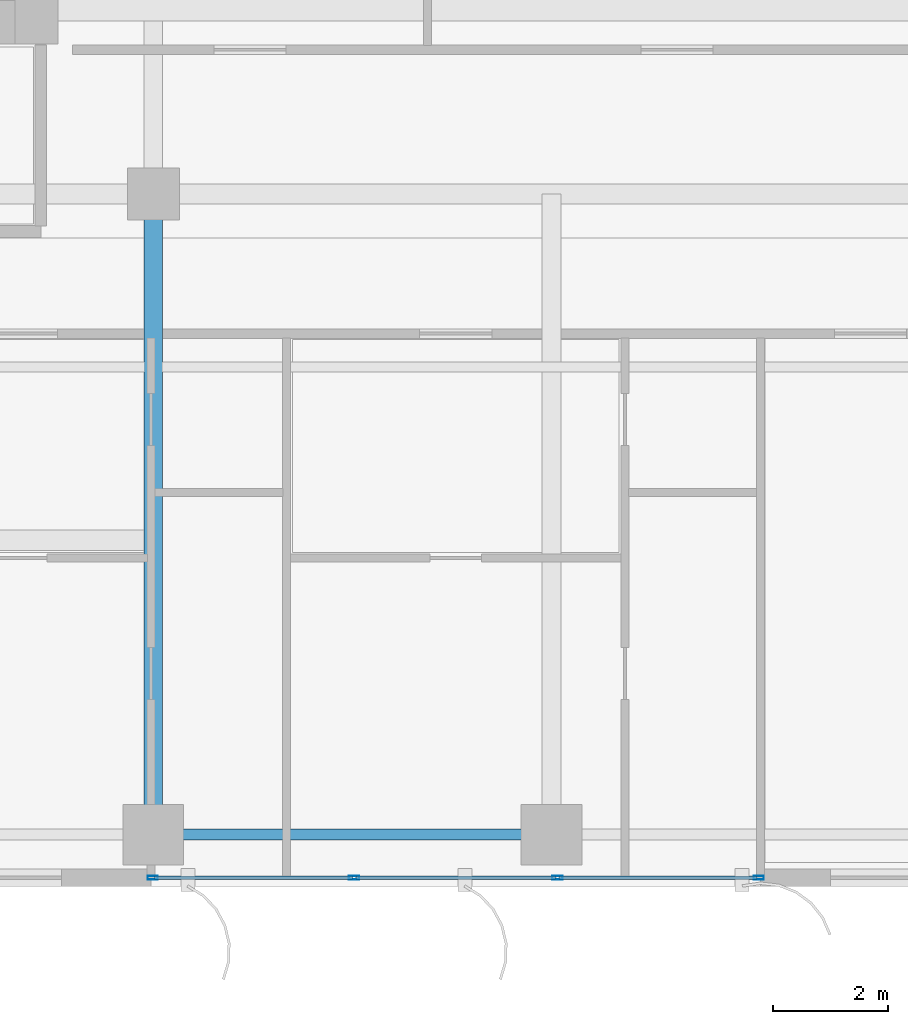
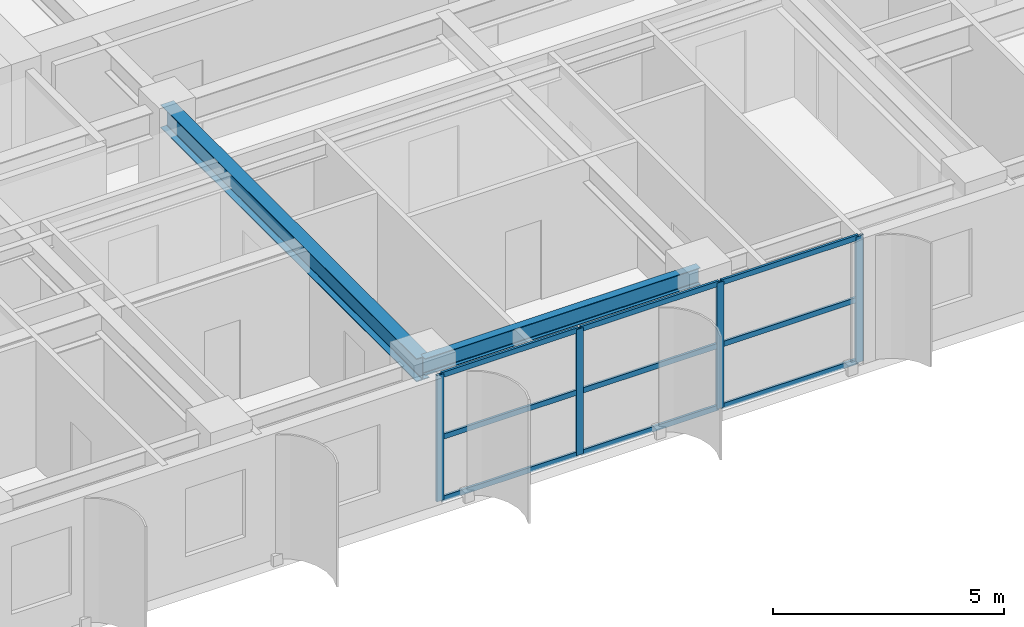
# One storey, part 2 of 22: 13 members, 2 beams, 1 element without a shape of its own.
"""IFC4 building model written with IfcOpenShell, lengths in metres."""

import ifcopenshell
import ifcopenshell.guid

model = None  # the IFC model being written
_history = None  # IfcOwnerHistory: only IFC2X3 demands one
_inside = {}  # id of a spatial element -> (the spatial element, [elements in it])
_under = {}  # id of a project, library or spatial element -> (it, [spatial elements below it])
_declared = {}  # id of a project -> (the project, [libraries it declares])
_typed = {}  # id of a type object -> (the type object, [elements of that type])
_made_of = {}  # id of a material, layer set ... -> (it, [elements and type objects made of it])


def new_model(schema):
    """Start an empty IFC model of exactly this schema.

    Asked for "IFC4X3", IfcOpenShell would pick the latest addendum, in which some entities
    have other attributes; the version numbers below select the first issue.
    IFC2X3 requires an IfcOwnerHistory on every rooted entity: one is made here for all.
    """
    global model, _history
    if schema == "IFC4X3":
        model = ifcopenshell.file(schema_version=(4, 3, 0, 0))
    else:
        model = ifcopenshell.file(schema=schema)
    _inside.clear()
    _under.clear()
    _declared.clear()
    _typed.clear()
    _made_of.clear()
    _history = None
    if model.schema == "IFC2X3":
        org = make("IfcOrganization", Name="unknown")
        user = make(
            "IfcPersonAndOrganization",
            ThePerson=make("IfcPerson", FamilyName="unknown"),
            TheOrganization=org,
        )
        app = make(
            "IfcApplication",
            ApplicationDeveloper=org,
            Version="unknown",
            ApplicationFullName="unknown",
            ApplicationIdentifier="unknown",
        )
        _history = make(
            "IfcOwnerHistory",
            OwningUser=user,
            OwningApplication=app,
            ChangeAction="ADDED",
            CreationDate=0,
        )
    return model


def make(cls, **values):
    """One entity of the class cls with the attributes given. An attribute that is None is left unset."""
    return model.create_entity(
        cls, **{name: value for name, value in values.items() if value is not None}
    )


def rooted(cls, **values):
    """An entity with a GlobalId (a new one), such as an element, a storey or a relation."""
    return make(cls, GlobalId=ifcopenshell.guid.new(), OwnerHistory=_history, **values)


def si_unit(unit_type, name, prefix=None):
    """IfcSIUnit, for example si_unit("LENGTHUNIT", "METRE", prefix="MILLI")."""
    return make("IfcSIUnit", UnitType=unit_type, Prefix=prefix, Name=name)


def assignment(units):
    """IfcUnitAssignment: the units of a project."""
    return None if units is None else make("IfcUnitAssignment", Units=units)


def point(xyz):
    """IfcCartesianPoint."""
    return None if xyz is None else make("IfcCartesianPoint", Coordinates=xyz)


def direction(xyz):
    """IfcDirection."""
    return None if xyz is None else make("IfcDirection", DirectionRatios=xyz)


def frame(location, z_axis=None, x_axis=None):
    """IfcAxis2Placement3D, a coordinate frame: its origin and axes. An axis left out is left unset."""
    return make(
        "IfcAxis2Placement3D",
        Location=point(location),
        Axis=direction(z_axis),
        RefDirection=direction(x_axis),
    )


def frame_2d(location, x_axis=None):
    """IfcAxis2Placement2D, a coordinate frame in the plane: its origin and x axis."""
    return make(
        "IfcAxis2Placement2D", Location=point(location), RefDirection=direction(x_axis)
    )


def origin():
    """The frame at (0, 0, 0) with its axes left unset."""
    return frame((0.0, 0.0, 0.0))


def origin_2d():
    """The frame at (0, 0) in the plane with its x axis left unset."""
    return frame_2d((0.0, 0.0))


def place(relative_to, where):
    """IfcLocalPlacement: puts the frame where relative to a parent placement (None: the world)."""
    return make(
        "IfcLocalPlacement", PlacementRelTo=relative_to, RelativePlacement=where
    )


def context(
    kind, dimensions, precision=None, world=None, true_north=None, identifier=None
):
    """IfcGeometricRepresentationContext, for example the 3D "Model" context."""
    return make(
        "IfcGeometricRepresentationContext",
        ContextIdentifier=identifier,
        ContextType=kind,
        CoordinateSpaceDimension=dimensions,
        Precision=precision,
        WorldCoordinateSystem=world,
        TrueNorth=true_north,
    )


def subcontext(parent, identifier, kind, view, scale=None):
    """IfcGeometricRepresentationSubContext, for example "Body" below "Model"."""
    return make(
        "IfcGeometricRepresentationSubContext",
        ContextIdentifier=identifier,
        ContextType=kind,
        ParentContext=parent,
        TargetScale=scale,
        TargetView=view,
    )


def project(units=None, contexts=None):
    """IfcProject with its units and contexts."""
    return rooted(
        "IfcProject",
        Name="project",
        RepresentationContexts=contexts,
        UnitsInContext=assignment(units),
    )


def spatial(cls, under=None, at=None, **own):
    """A site, building, storey or space (cls), placed at a placement, below another one or the project."""
    s = rooted(cls, ObjectPlacement=at, **own)
    if under is not None:
        _under.setdefault(under.id(), (under, []))[1].append(s)
    return s


def profile(cls, at=None, kind="AREA", **sizes):
    """A parametric profile (cls). Its sizes go by their IFC names, for example OverallWidth=200.0."""
    return make(cls, ProfileType=kind, Position=at, **sizes)


def hollow_rectangle(**sizes):
    """IfcRectangleHollowProfileDef."""
    return profile("IfcRectangleHollowProfileDef", **sizes)


def i_section(**sizes):
    """IfcIShapeProfileDef."""
    return profile("IfcIShapeProfileDef", **sizes)


def extrude(swept, where, along, depth):
    """IfcExtrudedAreaSolid: the profile swept, set in the frame where, extruded along a direction by depth."""
    return make(
        "IfcExtrudedAreaSolid",
        SweptArea=swept,
        Position=where,
        ExtrudedDirection=direction(along),
        Depth=depth,
    )


def shape(context_of_items, identifier, shape_type, items):
    """IfcShapeRepresentation: the items that make up one representation, for example the "Body"."""
    return make(
        "IfcShapeRepresentation",
        ContextOfItems=context_of_items,
        RepresentationIdentifier=identifier,
        RepresentationType=shape_type,
        Items=items,
    )


def source(mapping_origin, context_of_items, identifier, shape_type, items):
    """IfcRepresentationMap: a shape defined once, which mapped items show again and again."""
    return make(
        "IfcRepresentationMap",
        MappingOrigin=mapping_origin,
        MappedRepresentation=shape(context_of_items, identifier, shape_type, items),
    )


def transform(
    local_origin,
    x_axis=None,
    y_axis=None,
    z_axis=None,
    scale=None,
    scale2=None,
    scale3=None,
    uniform=True,
):
    """IfcCartesianTransformationOperator3D, or its non-uniform kind. x_axis, y_axis, z_axis: its Axis1, 2, 3."""
    if uniform:
        return make(
            "IfcCartesianTransformationOperator3D",
            Axis1=direction(x_axis),
            Axis2=direction(y_axis),
            LocalOrigin=point(local_origin),
            Scale=scale,
            Axis3=direction(z_axis),
        )
    return make(
        "IfcCartesianTransformationOperator3DnonUniform",
        Axis1=direction(x_axis),
        Axis2=direction(y_axis),
        LocalOrigin=point(local_origin),
        Scale=scale,
        Axis3=direction(z_axis),
        Scale2=scale2,
        Scale3=scale3,
    )


def mapped(mapping_source, mapping_target):
    """IfcMappedItem: shows the shape of a source again, moved by a transform."""
    return make(
        "IfcMappedItem", MappingSource=mapping_source, MappingTarget=mapping_target
    )


def material(Name=None, Category=None):
    """IfcMaterial."""
    return make("IfcMaterial", Name=Name, Category=Category)


def layer(
    of_material, thickness, ventilated=None, Name=None, Category=None, Priority=None
):
    """IfcMaterialLayer: one layer of a wall or slab, of a material (None: an air gap)."""
    return make(
        "IfcMaterialLayer",
        Material=of_material,
        LayerThickness=thickness,
        IsVentilated=ventilated,
        Name=Name,
        Category=Category,
        Priority=Priority,
    )


def layer_set(layers, Name=None):
    """IfcMaterialLayerSet."""
    return make("IfcMaterialLayerSet", MaterialLayers=layers, LayerSetName=Name)


def material_profile(
    of_material, cross_section, Name=None, Category=None, Priority=None
):
    """IfcMaterialProfile: a cross section and its material."""
    return make(
        "IfcMaterialProfile",
        Name=Name,
        Material=of_material,
        Profile=cross_section,
        Priority=Priority,
        Category=Category,
    )


def profile_set(profiles, Name=None, composite=None):
    """IfcMaterialProfileSet."""
    return make(
        "IfcMaterialProfileSet",
        Name=Name,
        MaterialProfiles=profiles,
        CompositeProfile=composite,
    )


def made_of(thing, what):
    """Note that an element or type object is made of a material, layer set ...; save() writes the relation."""
    if what is not None:
        _made_of.setdefault(what.id(), (what, []))[1].append(thing)
    return thing


def type_object(cls, material=None, **own):
    """A type object (cls), such as IfcWallType, which elements share."""
    return made_of(rooted(cls, **own), material)


def element(
    cls,
    number,
    at=None,
    inside=None,
    cuts=None,
    type_object=None,
    material=None,
    context=None,
    identifier="Body",
    shape_type=None,
    held_by="IfcProductDefinitionShape",
    body=None,
    shapes=None,
    **own,
):
    """One element of the class cls, such as IfcWall. Its Tag is "e" and its number.

    at: its placement. inside: the storey or other place that contains it. cuts: it is an
    opening in that element (IfcRelVoidsElement). A single representation is given by context,
    identifier, shape_type and body (its items); several are given by shapes. held_by: the class
    of the entity that holds the representations. save() writes the other relations.
    """
    e = rooted(cls, Tag="e%d" % number, ObjectPlacement=at, **own)
    if body is not None:
        shapes = [shape(context, identifier, shape_type, body)]
    if shapes is not None:
        e.Representation = make(held_by, Representations=shapes)
    if inside is not None:
        _inside.setdefault(inside.id(), (inside, []))[1].append(e)
    if cuts is not None:
        rooted(
            "IfcRelVoidsElement", RelatingBuildingElement=cuts, RelatedOpeningElement=e
        )
    if type_object is not None:
        _typed.setdefault(type_object.id(), (type_object, []))[1].append(e)
    return made_of(e, material)


def aggregate(whole, parts):
    """IfcRelAggregates: a whole, such as a stair, and the parts it consists of."""
    return rooted("IfcRelAggregates", RelatingObject=whole, RelatedObjects=parts)


def save(model, path):
    """Write the relations noted so far, then the file.

    IfcRelAggregates (storeys below a building ...), IfcRelContainedInSpatialStructure (elements
    in a storey), IfcRelDefinesByType, IfcRelAssociatesMaterial and IfcRelDeclares: one each for
    every whole, place, type object, material and project.
    """
    for whole, parts in _under.values():
        aggregate(whole, parts)
    for where, things in _inside.values():
        rooted(
            "IfcRelContainedInSpatialStructure",
            RelatedElements=things,
            RelatingStructure=where,
        )
    for kind, things in _typed.values():
        rooted("IfcRelDefinesByType", RelatedObjects=things, RelatingType=kind)
    for what, things in _made_of.values():
        rooted("IfcRelAssociatesMaterial", RelatedObjects=things, RelatingMaterial=what)
    for by, libraries in _declared.values():
        rooted("IfcRelDeclares", RelatingContext=by, RelatedDefinitions=libraries)
    model.write(path)


model = new_model("IFC4")

# Units and contexts
model_context = context("Model", 3, precision=1e-05, world=origin(), true_north=direction((0.0, 1.0)))
body_context = subcontext(model_context, "Body", "Model", "MODEL_VIEW")
ifc_project = project(units=[si_unit("LENGTHUNIT", "METRE"), si_unit("AREAUNIT", "SQUARE_METRE"), si_unit("VOLUMEUNIT", "CUBIC_METRE"), si_unit("PLANEANGLEUNIT", "RADIAN"), si_unit("MASSUNIT", "GRAM", prefix="KILO")], contexts=[model_context])

# Site, building, storey
site_placement = place(None, origin())
site = spatial("IfcSite", under=ifc_project, at=site_placement, CompositionType="ELEMENT")
building_placement = place(site_placement, origin())
building = spatial("IfcBuilding", under=site, at=building_placement, Name="Khoralis Quay Care Tower", CompositionType="ELEMENT")
storey_placement = place(building_placement, frame((0.0, 0.0, 94.5)))
storey = spatial("IfcBuildingStorey", under=building, at=storey_placement, Name="L24", CompositionType="ELEMENT", Elevation=94.5)

# Beams
ifc_material_1 = material(Name="Steel S355", Category="steel")
ifc_material_profile_1 = material_profile(ifc_material_1, i_section(OverallWidth=0.18994140625, OverallDepth=0.449951171875, WebThickness=0.009521484375, FlangeThickness=0.0146484375, FilletRadius=0.02099609375, at=origin_2d()), Name="Steel S355")
ifc_profile_set_1 = profile_set([ifc_material_profile_1], Name="Steel S355")
beam_type_1 = type_object("IfcBeamType", Name="BM-IPE450", PredefinedType="SPANDREL", material=ifc_profile_set_1)
shared_shape_1 = source(origin(), body_context, "Body", "SweptSolid", [
    extrude(i_section(OverallWidth=0.18994140625, OverallDepth=0.449951171875, WebThickness=0.009521484375, FlangeThickness=0.0146484375, FilletRadius=0.02099609375, at=origin_2d()), origin(), (0.0, 0.0, 1.0), 6.89990234375),
])
beam_1_placement = place(storey_placement, frame((17.10009765625, 0.89990234375, 3.114990234375), z_axis=(1.0, 0.0, 0.0), x_axis=(0.0, 1.0, 0.0)))
element("IfcBeam", 1, at=beam_1_placement, inside=storey, type_object=beam_type_1, Name="BM-TSP-L24-03", PredefinedType="SPANDREL", context=body_context, shape_type="MappedRepresentation", body=[
    mapped(shared_shape_1, transform((0.0, 0.0, 0.0), scale=1.0)),
])
ifc_material_profile_2 = material_profile(ifc_material_1, i_section(OverallWidth=0.324951171875, OverallDepth=0.615966796875, WebThickness=0.013916015625, FlangeThickness=0.021484375, FilletRadius=0.01806640625, at=origin_2d()), Name="Steel S355")
ifc_profile_set_2 = profile_set([ifc_material_profile_2], Name="Steel S355")
beam_type_2 = type_object("IfcBeamType", Name="BM-W610X174", PredefinedType="BEAM", material=ifc_profile_set_2)
shared_shape_2 = source(origin(), body_context, "Body", "SweptSolid", [
    extrude(i_section(OverallWidth=0.324951171875, OverallDepth=0.615966796875, WebThickness=0.013916015625, FlangeThickness=0.021484375, FilletRadius=0.01806640625, at=origin_2d()), origin(), (0.0, 0.0, 1.0), 11.10009765625),
])
beam_2_placement = place(storey_placement, frame((17.10009765625, 0.89990234375, 3.031982421875), z_axis=(0.0, 1.0, 0.0), x_axis=(-1.0, 0.0, 0.0)))
element("IfcBeam", 2, at=beam_2_placement, inside=storey, type_object=beam_type_2, Name="BM-TGYS-L24-171", PredefinedType="BEAM", context=body_context, shape_type="MappedRepresentation", body=[
    mapped(shared_shape_2, transform((0.0, 0.0, 0.0), scale=1.0)),
])

# Curtain wall, members
ifc_material_2 = material(Name="Pale anodised aluminium", Category="aluminium")
ifc_layer = layer(ifc_material_2, 0.169921875)
ifc_layer_set = layer_set([ifc_layer], Name="Pale anodised aluminium")
curtain_wall_type = type_object("IfcCurtainWallType", Name="CW-SYS-Z2", PredefinedType="NOTDEFINED", material=ifc_layer_set)
curtain_wall_placement = place(storey_placement, origin())
curtain_wall = element("IfcCurtainWall", 3, at=curtain_wall_placement, inside=storey, type_object=curtain_wall_type, Name="L24 Unitised Curtain Wall CW-L24-P1-E0", PredefinedType="NOTDEFINED")
ifc_material_profile_3 = material_profile(ifc_material_2, hollow_rectangle(XDim=0.06494140625, YDim=0.179931640625, WallThickness=0.00390625, at=origin_2d()), Name="Pale anodised aluminium")
ifc_profile_set_3 = profile_set([ifc_material_profile_3], Name="Pale anodised aluminium")
member_type_1 = type_object("IfcMemberType", Name="CW-MUL-180", PredefinedType="MULLION", material=ifc_profile_set_3)
shared_shape_3 = source(origin(), body_context, "Body", "SweptSolid", [
    extrude(hollow_rectangle(XDim=0.06494140625, YDim=0.179931640625, WallThickness=0.00390625, at=origin_2d()), origin(), (0.0, 0.0, 1.0), 3.340087890625),
])
member_1_placement = place(storey_placement, frame((17.090087890625, 0.14990234375, 0.0), z_axis=(0.0, 0.0, 1.0), x_axis=(0.0, 1.0, 0.0)))
member_1 = element("IfcMember", 4, at=member_1_placement, type_object=member_type_1, Name="CW2 mullion 1", PredefinedType="MULLION", context=body_context, shape_type="MappedRepresentation", body=[
    mapped(shared_shape_3, transform((0.0, 0.0, 0.0), scale=1.0)),
])
member_2_placement = place(storey_placement, frame((20.580078125, 0.14990234375, 0.0), z_axis=(0.0, 0.0, 1.0), x_axis=(0.0, 1.0, 0.0)))
member_2 = element("IfcMember", 5, at=member_2_placement, type_object=member_type_1, Name="CW2 mullion 2", PredefinedType="MULLION", context=body_context, shape_type="MappedRepresentation", body=[
    mapped(shared_shape_3, transform((0.0, 0.0, 0.0), scale=1.0)),
])
member_3_placement = place(storey_placement, frame((24.10009765625, 0.14990234375, 0.0), z_axis=(0.0, 0.0, 1.0), x_axis=(0.0, 1.0, 0.0)))
member_3 = element("IfcMember", 6, at=member_3_placement, type_object=member_type_1, Name="CW2 mullion 3", PredefinedType="MULLION", context=body_context, shape_type="MappedRepresentation", body=[
    mapped(shared_shape_3, transform((0.0, 0.0, 0.0), scale=1.0)),
])
member_4_placement = place(storey_placement, frame((27.590087890625, 0.14990234375, 0.0), z_axis=(0.0, 0.0, 1.0), x_axis=(0.0, 1.0, 0.0)))
member_4 = element("IfcMember", 7, at=member_4_placement, type_object=member_type_1, Name="CW2 mullion 4", PredefinedType="MULLION", context=body_context, shape_type="MappedRepresentation", body=[
    mapped(shared_shape_3, transform((0.0, 0.0, 0.0), scale=1.0)),
])
ifc_material_profile_4 = material_profile(ifc_material_2, hollow_rectangle(XDim=0.06005859375, YDim=0.139892578125, WallThickness=0.00390625, at=origin_2d()), Name="Pale anodised aluminium")
ifc_profile_set_4 = profile_set([ifc_material_profile_4], Name="Pale anodised aluminium")
member_type_2 = type_object("IfcMemberType", Name="CW-TRN-140", PredefinedType="USERDEFINED", material=ifc_profile_set_4)
shared_shape_4 = source(origin(), body_context, "Body", "SweptSolid", [
    extrude(hollow_rectangle(XDim=0.06005859375, YDim=0.139892578125, WallThickness=0.00390625, at=origin_2d()), origin(), (0.0, 0.0, 1.0), 3.429931640625),
])
member_5_placement = place(storey_placement, frame((17.1201171875, 0.14990234375, 0.030029296875), z_axis=(1.0, 0.0, 0.0), x_axis=(0.0, 1.0, 0.0)))
member_5 = element("IfcMember", 8, at=member_5_placement, type_object=member_type_2, Name="CW2 transom 1.1", ObjectType="TRANSOM", PredefinedType="USERDEFINED", context=body_context, shape_type="MappedRepresentation", body=[
    mapped(shared_shape_4, transform((0.0, 0.0, 0.0), scale=1.0)),
])
member_6_placement = place(storey_placement, frame((17.1201171875, 0.14990234375, 1.669921875), z_axis=(1.0, 0.0, 0.0), x_axis=(0.0, 1.0, 0.0)))
member_6 = element("IfcMember", 9, at=member_6_placement, type_object=member_type_2, Name="CW2 transom 1.2", ObjectType="TRANSOM", PredefinedType="USERDEFINED", context=body_context, shape_type="MappedRepresentation", body=[
    mapped(shared_shape_4, transform((0.0, 0.0, 0.0), scale=1.0)),
])
member_7_placement = place(storey_placement, frame((17.1201171875, 0.14990234375, 3.31005859375), z_axis=(1.0, 0.0, 0.0), x_axis=(0.0, 1.0, 0.0)))
member_7 = element("IfcMember", 10, at=member_7_placement, type_object=member_type_2, Name="CW2 transom 1.3", ObjectType="TRANSOM", PredefinedType="USERDEFINED", context=body_context, shape_type="MappedRepresentation", body=[
    mapped(shared_shape_4, transform((0.0, 0.0, 0.0), scale=1.0)),
])
shared_shape_5 = source(origin(), body_context, "Body", "SweptSolid", [
    extrude(hollow_rectangle(XDim=0.06005859375, YDim=0.139892578125, WallThickness=0.00390625, at=origin_2d()), origin(), (0.0, 0.0, 1.0), 3.4599609375),
])
member_8_placement = place(storey_placement, frame((20.610107421875, 0.14990234375, 0.030029296875), z_axis=(1.0, 0.0, 0.0), x_axis=(0.0, 1.0, 0.0)))
member_8 = element("IfcMember", 11, at=member_8_placement, type_object=member_type_2, Name="CW2 transom 2.1", ObjectType="TRANSOM", PredefinedType="USERDEFINED", context=body_context, shape_type="MappedRepresentation", body=[
    mapped(shared_shape_5, transform((0.0, 0.0, 0.0), scale=1.0)),
])
member_9_placement = place(storey_placement, frame((20.610107421875, 0.14990234375, 1.669921875), z_axis=(1.0, 0.0, 0.0), x_axis=(0.0, 1.0, 0.0)))
member_9 = element("IfcMember", 12, at=member_9_placement, type_object=member_type_2, Name="CW2 transom 2.2", ObjectType="TRANSOM", PredefinedType="USERDEFINED", context=body_context, shape_type="MappedRepresentation", body=[
    mapped(shared_shape_5, transform((0.0, 0.0, 0.0), scale=1.0)),
])
member_10_placement = place(storey_placement, frame((20.610107421875, 0.14990234375, 3.31005859375), z_axis=(1.0, 0.0, 0.0), x_axis=(0.0, 1.0, 0.0)))
member_10 = element("IfcMember", 13, at=member_10_placement, type_object=member_type_2, Name="CW2 transom 2.3", ObjectType="TRANSOM", PredefinedType="USERDEFINED", context=body_context, shape_type="MappedRepresentation", body=[
    mapped(shared_shape_5, transform((0.0, 0.0, 0.0), scale=1.0)),
])
shared_shape_6 = source(origin(), body_context, "Body", "SweptSolid", [
    extrude(hollow_rectangle(XDim=0.06005859375, YDim=0.139892578125, WallThickness=0.00390625, at=origin_2d()), origin(), (0.0, 0.0, 1.0), 3.43017578125),
])
member_11_placement = place(storey_placement, frame((24.1298828125, 0.14990234375, 0.030029296875), z_axis=(1.0, 0.0, 0.0), x_axis=(0.0, 1.0, 0.0)))
member_11 = element("IfcMember", 14, at=member_11_placement, type_object=member_type_2, Name="CW2 transom 3.1", ObjectType="TRANSOM", PredefinedType="USERDEFINED", context=body_context, shape_type="MappedRepresentation", body=[
    mapped(shared_shape_6, transform((0.0, 0.0, 0.0), scale=1.0)),
])
member_12_placement = place(storey_placement, frame((24.1298828125, 0.14990234375, 1.669921875), z_axis=(1.0, 0.0, 0.0), x_axis=(0.0, 1.0, 0.0)))
member_12 = element("IfcMember", 15, at=member_12_placement, type_object=member_type_2, Name="CW2 transom 3.2", ObjectType="TRANSOM", PredefinedType="USERDEFINED", context=body_context, shape_type="MappedRepresentation", body=[
    mapped(shared_shape_6, transform((0.0, 0.0, 0.0), scale=1.0)),
])
member_13_placement = place(storey_placement, frame((24.1298828125, 0.14990234375, 3.31005859375), z_axis=(1.0, 0.0, 0.0), x_axis=(0.0, 1.0, 0.0)))
member_13 = element("IfcMember", 16, at=member_13_placement, type_object=member_type_2, Name="CW2 transom 3.3", ObjectType="TRANSOM", PredefinedType="USERDEFINED", context=body_context, shape_type="MappedRepresentation", body=[
    mapped(shared_shape_6, transform((0.0, 0.0, 0.0), scale=1.0)),
])
aggregate(curtain_wall, [member_1, member_2, member_3, member_4, member_5, member_6, member_7, member_8, member_9, member_10, member_11, member_12, member_13])

save(model, "model.ifc")
